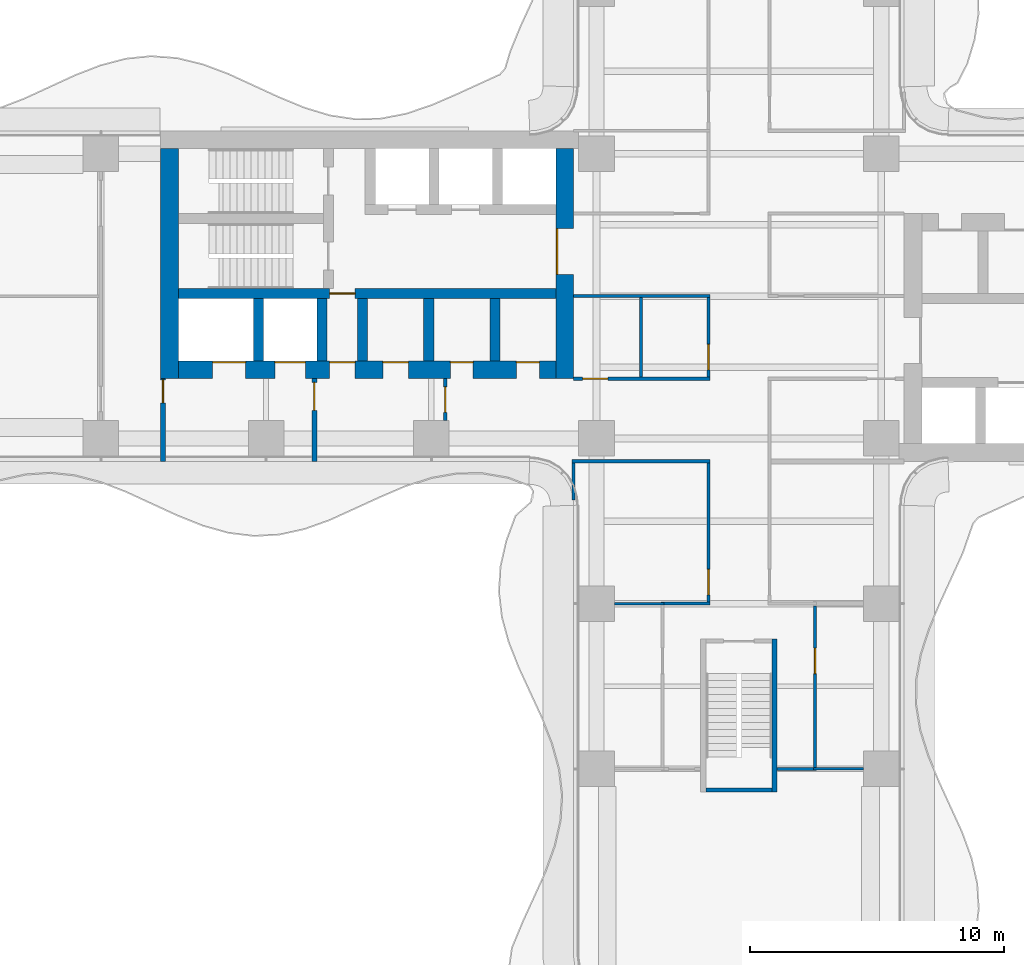
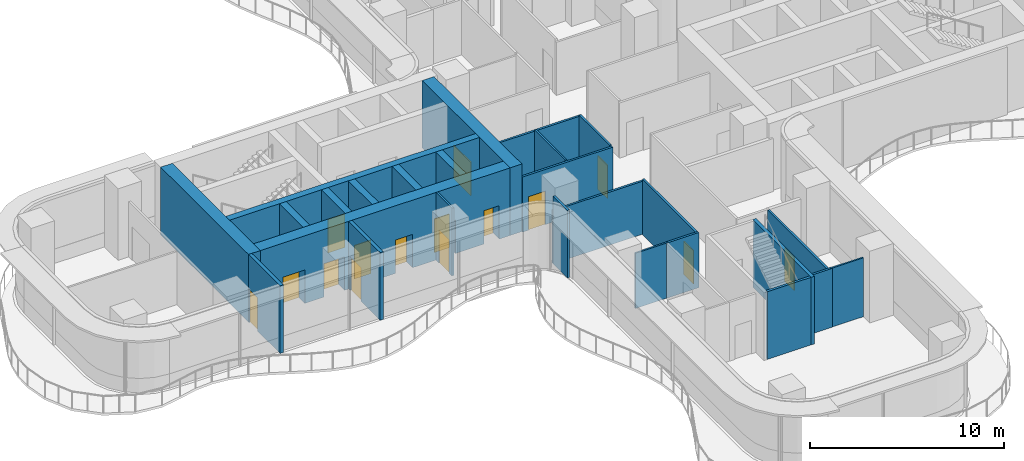
# One storey, part 17 of 22: 26 walls, 15 doors, 15 openings.
"""IFC4 building model written with IfcOpenShell, lengths in metres."""

from ifc_helpers import new_model, si_unit, direction, frame, frame_2d, origin, place, context, subcontext, project, spatial, rectangle, extrude, source, transform, mapped, material, layer, layer_set, type_object, element, fill, save


model = new_model("IFC4")

# Units and contexts
model_context = context("Model", 3, precision=1e-05, world=origin(), true_north=direction((0.0, 1.0)))
body_context = subcontext(model_context, "Body", "Model", "MODEL_VIEW")
ifc_project = project(units=[si_unit("LENGTHUNIT", "METRE"), si_unit("AREAUNIT", "SQUARE_METRE"), si_unit("VOLUMEUNIT", "CUBIC_METRE"), si_unit("PLANEANGLEUNIT", "RADIAN"), si_unit("MASSUNIT", "GRAM", prefix="KILO")], contexts=[model_context])

# Site, building, storey
site_placement = place(None, origin())
site = spatial("IfcSite", under=ifc_project, at=site_placement, CompositionType="ELEMENT")
building_placement = place(site_placement, origin())
building = spatial("IfcBuilding", under=site, at=building_placement, Name="Trellis Farm Tower", CompositionType="ELEMENT")
storey_placement = place(building_placement, frame((0.0, 0.0, 38.5)))
storey = spatial("IfcBuildingStorey", under=building, at=storey_placement, Name="L07", CompositionType="ELEMENT", Elevation=38.5)

# Wall, opening, door
ifc_material_1 = material(Name="Concrete C80/95", Category="concrete")
ifc_layer_1 = layer(ifc_material_1, 0.699951171875)
ifc_layer_set_1 = layer_set([ifc_layer_1], Name="CORE OUTER WALL 700 CONCRETE C80/95")
wall_type_1 = type_object("IfcWallType", Name="CORE OUTER WALL 700 CONCRETE C80/95", PredefinedType="SHEAR", material=ifc_layer_set_1)
shared_shape_1 = source(origin(), body_context, "Body", "SweptSolid", [
    extrude(rectangle(XDim=9.050048828125, YDim=0.699951171875, at=frame_2d((4.52490234375, 0.0))), origin(), (0.0, 0.0, 1.0), 4.25),
])
wall_1_placement = place(storey_placement, frame((-6.85009765625, 5.800048828125, 0.0), z_axis=(0.0, 0.0, 1.0), x_axis=(0.0, -1.0, 0.0)))
wall_1 = element("IfcWall", 1, at=wall_1_placement, inside=storey, type_object=wall_type_1, Name="Core wall", PredefinedType="SHEAR", context=body_context, shape_type="MappedRepresentation", body=[
    mapped(shared_shape_1, transform((0.0, 0.0, 0.0))),
])
shared_shape_2 = source(origin(), body_context, "Body", "SweptSolid", [
    extrude(rectangle(XDim=1.800048828125, YDim=2.10009765625, at=frame_2d((0.89990234375, 1.050048828125))), frame((0.0, 0.360107421875, 0.0), z_axis=(0.0, -1.0, 0.0), x_axis=(1.0, 0.0, 0.0)), (0.0, 0.0, 1.0), 0.72021484375),
])
opening_1_placement = place(wall_1_placement, frame((3.14990234375, 0.0, 0.0)))
opening_1 = element("IfcOpeningElement", 2, at=opening_1_placement, cuts=wall_1, Name="Opening DC87", PredefinedType="OPENING", context=body_context, shape_type="MappedRepresentation", body=[
    mapped(shared_shape_2, transform((0.0, 0.0, 0.0))),
])
ifc_material_2 = material(Name="Steel", Category="steel")
door_type_1 = type_object("IfcDoorType", Name="CORE FIRE DOOR DOUBLE 1800 X 2100", OperationType="DOUBLE_DOOR_SINGLE_SWING", PredefinedType="DOOR", material=ifc_material_2)
shared_shape_3 = source(origin(), body_context, "Body", "SweptSolid", [
    extrude(rectangle(XDim=1.800048828125, YDim=2.10009765625, at=frame_2d((0.89990234375, 1.050048828125))), frame((0.0, -0.27490234375, 0.0), z_axis=(0.0, -1.0, 0.0), x_axis=(1.0, 0.0, 0.0)), (0.0, 0.0, 1.0), 0.050048828125),
])
door_1_placement = place(opening_1_placement, origin())
door_1 = element("IfcDoor", 3, at=door_1_placement, inside=storey, type_object=door_type_1, Name="Core door", OperationType="DOUBLE_DOOR_SINGLE_SWING", OverallHeight=2.10009765625, OverallWidth=1.800048828125, PredefinedType="DOOR", context=body_context, shape_type="MappedRepresentation", body=[
    mapped(shared_shape_3, transform((0.0, 0.0, 0.0))),
])
fill(opening_1, door_1)

# Walls
wall_2_placement = place(storey_placement, frame((-22.39990234375, 5.800048828125, 0.0), z_axis=(0.0, 0.0, 1.0), x_axis=(0.0, -1.0, 0.0)))
element("IfcWall", 4, at=wall_2_placement, inside=storey, type_object=wall_type_1, Name="Core wall", PredefinedType="SHEAR", context=body_context, shape_type="MappedRepresentation", body=[
    mapped(shared_shape_1, transform((0.0, 0.0, 0.0))),
])
ifc_layer_2 = layer(ifc_material_1, 0.39990234375)
ifc_layer_set_2 = layer_set([ifc_layer_2], Name="CORE INNER WALL 400 CONCRETE C80/95")
wall_type_2 = type_object("IfcWallType", Name="CORE INNER WALL 400 CONCRETE C80/95", PredefinedType="SHEAR", material=ifc_layer_set_2)
shared_shape_4 = source(origin(), body_context, "Body", "SweptSolid", [
    extrude(rectangle(XDim=2.449951171875, YDim=0.39990234375, at=frame_2d((1.22509765625, 0.0))), origin(), (0.0, 0.0, 1.0), 4.25),
])
for number, where, z_axis, x_axis, name in (
    (5, (-9.60009765625, -0.10009765625, 0.0), (0.0, 0.0, 1.0), (0.0, -1.0, 0.0), "Core wall"),
    (6, (-12.199951171875, -0.10009765625, 0.0), (0.0, 0.0, 1.0), (0.0, -1.0, 0.0), "Core wall"),
    (7, (-14.800048828125, -0.10009765625, 0.0), (0.0, 0.0, 1.0), (0.0, -1.0, 0.0), "Core wall"),
    (8, (-16.39990234375, -0.10009765625, 0.0), (0.0, 0.0, 1.0), (0.0, -1.0, 0.0), "Core wall"),
    (9, (-18.89990234375, -0.10009765625, 0.0), (0.0, 0.0, 1.0), (0.0, -1.0, 0.0), "Core wall"),
):
    element("IfcWall", number, at=place(storey_placement, frame(where, z_axis=z_axis, x_axis=x_axis)), inside=storey, type_object=wall_type_2, Name=name, PredefinedType="SHEAR", context=body_context, shape_type="MappedRepresentation", body=[
        mapped(shared_shape_4, transform((0.0, 0.0, 0.0))),
    ])

# Wall, opening, door
ifc_material_3 = material(Name="Masonry blockwork", Category="masonry")
ifc_layer_3 = layer(ifc_material_3, 0.199951171875)
ifc_layer_set_3 = layer_set([ifc_layer_3], Name="FIRE LOBBY PARTITION 200 BLOCKWORK")
wall_type_3 = type_object("IfcWallType", Name="FIRE LOBBY PARTITION 200 BLOCKWORK", PredefinedType="PARTITIONING", material=ifc_layer_set_3)
shared_shape_5 = source(origin(), body_context, "Body", "SweptSolid", [
    extrude(rectangle(XDim=3.25, YDim=0.199951171875, at=frame_2d((1.625, 0.0))), origin(), (0.0, 0.0, 1.0), 4.25),
])
wall_3_placement = place(storey_placement, frame((-16.699951171875, -3.25, 0.0), z_axis=(0.0, 0.0, 1.0), x_axis=(0.0, -1.0, 0.0)))
wall_3 = element("IfcWall", 10, at=wall_3_placement, inside=storey, type_object=wall_type_3, Name="Fire-fighting lobby partition", PredefinedType="PARTITIONING", context=body_context, shape_type="MappedRepresentation", body=[
    mapped(shared_shape_5, transform((0.0, 0.0, 0.0))),
])
shared_shape_6 = source(origin(), body_context, "Body", "SweptSolid", [
    extrude(rectangle(XDim=1.10009765625, YDim=2.10009765625, at=frame_2d((0.550048828125, 1.050048828125))), frame((0.0, 0.110107421875, 0.0), z_axis=(0.0, -1.0, 0.0), x_axis=(1.0, 0.0, 0.0)), (0.0, 0.0, 1.0), 0.22021484375),
])
opening_2_placement = place(wall_3_placement, frame((0.14990234375, 0.0, 0.0)))
opening_2 = element("IfcOpeningElement", 11, at=opening_2_placement, cuts=wall_3, Name="Opening DC93", PredefinedType="OPENING", context=body_context, shape_type="MappedRepresentation", body=[
    mapped(shared_shape_6, transform((0.0, 0.0, 0.0))),
])
door_type_2 = type_object("IfcDoorType", Name="CORE FIRE DOOR 1100 X 2100", OperationType="NOTDEFINED", PredefinedType="DOOR", material=ifc_material_2)
shared_shape_7 = source(origin(), body_context, "Body", "SweptSolid", [
    extrude(rectangle(XDim=1.10009765625, YDim=2.10009765625, at=frame_2d((0.550048828125, 1.050048828125))), frame((0.0, 0.02490234375, 0.0), z_axis=(0.0, -1.0, 0.0), x_axis=(1.0, 0.0, 0.0)), (0.0, 0.0, 1.0), 0.050048828125),
])
door_2_placement = place(opening_2_placement, origin())
door_2 = element("IfcDoor", 12, at=door_2_placement, inside=storey, type_object=door_type_2, Name="Core door", OperationType="SINGLE_SWING_RIGHT", OverallHeight=2.10009765625, OverallWidth=1.10009765625, PredefinedType="DOOR", context=body_context, shape_type="MappedRepresentation", body=[
    mapped(shared_shape_7, transform((0.0, 0.0, 0.0))),
])
fill(opening_2, door_2)

wall_4_placement = place(storey_placement, frame((-22.64990234375, -3.25, 0.0), z_axis=(0.0, 0.0, 1.0), x_axis=(0.0, -1.0, 0.0)))
wall_4 = element("IfcWall", 13, at=wall_4_placement, inside=storey, type_object=wall_type_3, Name="Fire-fighting lobby partition", PredefinedType="PARTITIONING", context=body_context, shape_type="MappedRepresentation", body=[
    mapped(shared_shape_5, transform((0.0, 0.0, 0.0))),
])
shared_shape_8 = source(origin(), body_context, "Body", "SweptSolid", [
    extrude(rectangle(XDim=0.89990234375, YDim=2.10009765625, at=frame_2d((0.449951171875, 1.050048828125))), frame((0.0, 0.110107421875, 0.0), z_axis=(0.0, -1.0, 0.0), x_axis=(1.0, 0.0, 0.0)), (0.0, 0.0, 1.0), 0.22021484375),
])
opening_3_placement = place(wall_4_placement, frame((0.050048828125, 0.0, 0.0)))
opening_3 = element("IfcOpeningElement", 14, at=opening_3_placement, cuts=wall_4, Name="Opening DC94", PredefinedType="OPENING", context=body_context, shape_type="MappedRepresentation", body=[
    mapped(shared_shape_8, transform((0.0, 0.0, 0.0))),
])
door_type_3 = type_object("IfcDoorType", Name="CORE FIRE DOOR 900 X 2100", OperationType="NOTDEFINED", PredefinedType="DOOR", material=ifc_material_2)
shared_shape_9 = source(origin(), body_context, "Body", "SweptSolid", [
    extrude(rectangle(XDim=0.89990234375, YDim=2.10009765625, at=frame_2d((0.449951171875, 1.050048828125))), frame((0.0, 0.02490234375, 0.0), z_axis=(0.0, -1.0, 0.0), x_axis=(1.0, 0.0, 0.0)), (0.0, 0.0, 1.0), 0.050048828125),
])
door_3_placement = place(opening_3_placement, origin())
door_3 = element("IfcDoor", 15, at=door_3_placement, inside=storey, type_object=door_type_3, Name="Core door", OperationType="SINGLE_SWING_RIGHT", OverallHeight=2.10009765625, OverallWidth=0.89990234375, PredefinedType="DOOR", context=body_context, shape_type="MappedRepresentation", body=[
    mapped(shared_shape_9, transform((0.0, 0.0, 0.0))),
])
fill(opening_3, door_3)

# Wall, openings, doors
shared_shape_10 = source(origin(), body_context, "Body", "SweptSolid", [
    extrude(rectangle(XDim=14.85009765625, YDim=0.699951171875, at=frame_2d((7.425048828125, 0.0))), origin(), (0.0, 0.0, 1.0), 4.25),
])
wall_5_placement = place(storey_placement, frame((-7.199951171875, -2.89990234375, 0.0), z_axis=(0.0, 0.0, 1.0), x_axis=(-1.0, 0.0, 0.0)))
wall_5 = element("IfcWall", 16, at=wall_5_placement, inside=storey, type_object=wall_type_1, Name="Core wall", PredefinedType="SHEAR", context=body_context, shape_type="MappedRepresentation", body=[
    mapped(shared_shape_10, transform((0.0, 0.0, 0.0))),
])
shared_shape_11 = source(origin(), body_context, "Body", "SweptSolid", [
    extrude(rectangle(XDim=1.300048828125, YDim=2.10009765625, at=frame_2d((0.64990234375, 1.050048828125))), frame((0.0, 0.360107421875, 0.0), z_axis=(0.0, -1.0, 0.0), x_axis=(1.0, 0.0, 0.0)), (0.0, 0.0, 1.0), 0.72021484375),
])
opening_4_placement = place(wall_5_placement, frame((12.199951171875, 0.0, 0.0)))
opening_4 = element("IfcOpeningElement", 17, at=opening_4_placement, cuts=wall_5, Name="Opening LD15", PredefinedType="OPENING", context=body_context, shape_type="MappedRepresentation", body=[
    mapped(shared_shape_11, transform((0.0, 0.0, 0.0))),
])
shared_shape_12 = source(origin(), body_context, "Body", "SweptSolid", [
    extrude(rectangle(XDim=1.199951171875, YDim=2.10009765625, at=frame_2d((0.60009765625, 1.050048828125))), frame((0.0, 0.360107421875, 0.0), z_axis=(0.0, -1.0, 0.0), x_axis=(1.0, 0.0, 0.0)), (0.0, 0.0, 1.0), 0.72021484375),
])
opening_5_placement = place(wall_5_placement, frame((9.85009765625, 0.0, 0.0)))
opening_5 = element("IfcOpeningElement", 18, at=opening_5_placement, cuts=wall_5, Name="Opening LD16", PredefinedType="OPENING", context=body_context, shape_type="MappedRepresentation", body=[
    mapped(shared_shape_12, transform((0.0, 0.0, 0.0))),
])
shared_shape_13 = source(origin(), body_context, "Body", "SweptSolid", [
    extrude(rectangle(XDim=1.0, YDim=2.10009765625, at=frame_2d((0.5, 1.050048828125))), frame((0.0, 0.360107421875, 0.0), z_axis=(0.0, -1.0, 0.0), x_axis=(1.0, 0.0, 0.0)), (0.0, 0.0, 1.0), 0.72021484375),
])
opening_6_placement = place(wall_5_placement, frame((7.89990234375, 0.0, 0.0)))
opening_6 = element("IfcOpeningElement", 19, at=opening_6_placement, cuts=wall_5, Name="Opening DC92", PredefinedType="OPENING", context=body_context, shape_type="MappedRepresentation", body=[
    mapped(shared_shape_13, transform((0.0, 0.0, 0.0))),
])
shared_shape_14 = source(origin(), body_context, "Body", "SweptSolid", [
    extrude(rectangle(XDim=0.89990234375, YDim=2.10009765625, at=frame_2d((0.449951171875, 1.050048828125))), frame((0.0, 0.360107421875, 0.0), z_axis=(0.0, -1.0, 0.0), x_axis=(1.0, 0.0, 0.0)), (0.0, 0.0, 1.0), 0.72021484375),
])
opening_7_placement = place(wall_5_placement, frame((0.64990234375, 0.0, 0.0)))
opening_7 = element("IfcOpeningElement", 20, at=opening_7_placement, cuts=wall_5, Name="Opening DC97", PredefinedType="OPENING", context=body_context, shape_type="MappedRepresentation", body=[
    mapped(shared_shape_14, transform((0.0, 0.0, 0.0))),
])
opening_8_placement = place(wall_5_placement, frame((3.25, 0.0, 0.0)))
opening_8 = element("IfcOpeningElement", 21, at=opening_8_placement, cuts=wall_5, Name="Opening DC110", PredefinedType="OPENING", context=body_context, shape_type="MappedRepresentation", body=[
    mapped(shared_shape_14, transform((0.0, 0.0, 0.0))),
])
opening_9_placement = place(wall_5_placement, frame((5.800048828125, 0.0, 0.0)))
opening_9 = element("IfcOpeningElement", 22, at=opening_9_placement, cuts=wall_5, Name="Opening DC123", PredefinedType="OPENING", context=body_context, shape_type="MappedRepresentation", body=[
    mapped(shared_shape_13, transform((0.0, 0.0, 0.0))),
])
door_type_4 = type_object("IfcDoorType", Name="CORE FIRE DOOR 1000 X 2100", OperationType="NOTDEFINED", PredefinedType="DOOR", material=ifc_material_2)
shared_shape_15 = source(origin(), body_context, "Body", "SweptSolid", [
    extrude(rectangle(XDim=1.0, YDim=2.10009765625, at=frame_2d((0.5, 1.050048828125))), frame((0.0, -0.27490234375, 0.0), z_axis=(0.0, -1.0, 0.0), x_axis=(1.0, 0.0, 0.0)), (0.0, 0.0, 1.0), 0.050048828125),
])
door_4_placement = place(opening_6_placement, origin())
door_4 = element("IfcDoor", 23, at=door_4_placement, inside=storey, type_object=door_type_4, Name="Core door", OperationType="SINGLE_SWING_LEFT", OverallHeight=2.10009765625, OverallWidth=1.0, PredefinedType="DOOR", context=body_context, shape_type="MappedRepresentation", body=[
    mapped(shared_shape_15, transform((0.0, 0.0, 0.0))),
])
fill(opening_6, door_4)
door_5_placement = place(opening_9_placement, origin())
door_5 = element("IfcDoor", 24, at=door_5_placement, inside=storey, type_object=door_type_4, Name="Core door", OperationType="SINGLE_SWING_LEFT", OverallHeight=2.10009765625, OverallWidth=1.0, PredefinedType="DOOR", context=body_context, shape_type="MappedRepresentation", body=[
    mapped(shared_shape_15, transform((0.0, 0.0, 0.0))),
])
fill(opening_9, door_5)
shared_shape_16 = source(origin(), body_context, "Body", "SweptSolid", [
    extrude(rectangle(XDim=0.89990234375, YDim=2.10009765625, at=frame_2d((0.449951171875, 1.050048828125))), frame((0.0, -0.27490234375, 0.0), z_axis=(0.0, -1.0, 0.0), x_axis=(1.0, 0.0, 0.0)), (0.0, 0.0, 1.0), 0.050048828125),
])
door_6_placement = place(opening_7_placement, origin())
door_6 = element("IfcDoor", 25, at=door_6_placement, inside=storey, type_object=door_type_3, Name="Core door", OperationType="SINGLE_SWING_LEFT", OverallHeight=2.10009765625, OverallWidth=0.89990234375, PredefinedType="DOOR", context=body_context, shape_type="MappedRepresentation", body=[
    mapped(shared_shape_16, transform((0.0, 0.0, 0.0))),
])
fill(opening_7, door_6)
door_7_placement = place(opening_8_placement, origin())
door_7 = element("IfcDoor", 26, at=door_7_placement, inside=storey, type_object=door_type_3, Name="Core door", OperationType="SINGLE_SWING_RIGHT", OverallHeight=2.10009765625, OverallWidth=0.89990234375, PredefinedType="DOOR", context=body_context, shape_type="MappedRepresentation", body=[
    mapped(shared_shape_16, transform((0.0, 0.0, 0.0))),
])
fill(opening_8, door_7)
ifc_material_4 = material(Name="Stainless steel", Category="steel")
door_type_5 = type_object("IfcDoorType", Name="LIFT LANDING DOOR 1300 X 2100", OperationType="DOUBLE_DOOR_SLIDING", PredefinedType="DOOR", material=ifc_material_4)
shared_shape_17 = source(origin(), body_context, "Body", "SweptSolid", [
    extrude(rectangle(XDim=1.300048828125, YDim=2.10009765625, at=frame_2d((0.64990234375, 1.050048828125))), frame((0.0, -0.27490234375, 0.0), z_axis=(0.0, -1.0, 0.0), x_axis=(1.0, 0.0, 0.0)), (0.0, 0.0, 1.0), 0.050048828125),
])
door_8_placement = place(opening_4_placement, origin())
door_8 = element("IfcDoor", 27, at=door_8_placement, inside=storey, type_object=door_type_5, Name="Lift landing door", OperationType="DOUBLE_DOOR_SLIDING", OverallHeight=2.10009765625, OverallWidth=1.300048828125, PredefinedType="DOOR", context=body_context, shape_type="MappedRepresentation", body=[
    mapped(shared_shape_17, transform((0.0, 0.0, 0.0))),
])
fill(opening_4, door_8)
door_type_6 = type_object("IfcDoorType", Name="LIFT LANDING DOOR 1200 X 2100", OperationType="DOUBLE_DOOR_SLIDING", PredefinedType="DOOR", material=ifc_material_4)
shared_shape_18 = source(origin(), body_context, "Body", "SweptSolid", [
    extrude(rectangle(XDim=1.199951171875, YDim=2.10009765625, at=frame_2d((0.60009765625, 1.050048828125))), frame((0.0, -0.27490234375, 0.0), z_axis=(0.0, -1.0, 0.0), x_axis=(1.0, 0.0, 0.0)), (0.0, 0.0, 1.0), 0.050048828125),
])
door_9_placement = place(opening_5_placement, origin())
door_9 = element("IfcDoor", 28, at=door_9_placement, inside=storey, type_object=door_type_6, Name="Lift landing door", OperationType="DOUBLE_DOOR_SLIDING", OverallHeight=2.10009765625, OverallWidth=1.199951171875, PredefinedType="DOOR", context=body_context, shape_type="MappedRepresentation", body=[
    mapped(shared_shape_18, transform((0.0, 0.0, 0.0))),
])
fill(opening_5, door_9)

# Wall, opening, door
shared_shape_19 = source(origin(), body_context, "Body", "SweptSolid", [
    extrude(rectangle(XDim=14.85009765625, YDim=0.39990234375, at=frame_2d((7.425048828125, 0.0))), origin(), (0.0, 0.0, 1.0), 4.25),
])
wall_6_placement = place(storey_placement, frame((-7.199951171875, 0.10009765625, 0.0), z_axis=(0.0, 0.0, 1.0), x_axis=(-1.0, 0.0, 0.0)))
wall_6 = element("IfcWall", 29, at=wall_6_placement, inside=storey, type_object=wall_type_2, Name="Core wall", PredefinedType="SHEAR", context=body_context, shape_type="MappedRepresentation", body=[
    mapped(shared_shape_19, transform((0.0, 0.0, 0.0))),
])
shared_shape_20 = source(origin(), body_context, "Body", "SweptSolid", [
    extrude(rectangle(XDim=1.0, YDim=2.10009765625, at=frame_2d((0.5, 1.050048828125))), frame((0.0, 0.2099609375, 0.0), z_axis=(0.0, -1.0, 0.0), x_axis=(1.0, 0.0, 0.0)), (0.0, 0.0, 1.0), 0.419921875),
])
opening_10_placement = place(wall_6_placement, frame((7.89990234375, 0.0, 0.0)))
opening_10 = element("IfcOpeningElement", 30, at=opening_10_placement, cuts=wall_6, Name="Opening DC91", PredefinedType="OPENING", context=body_context, shape_type="MappedRepresentation", body=[
    mapped(shared_shape_20, transform((0.0, 0.0, 0.0))),
])
shared_shape_21 = source(origin(), body_context, "Body", "SweptSolid", [
    extrude(rectangle(XDim=1.0, YDim=2.10009765625, at=frame_2d((0.5, 1.050048828125))), frame((0.0, 0.02490234375, 0.0), z_axis=(0.0, -1.0, 0.0), x_axis=(1.0, 0.0, 0.0)), (0.0, 0.0, 1.0), 0.050048828125),
])
door_10_placement = place(opening_10_placement, origin())
door_10 = element("IfcDoor", 31, at=door_10_placement, inside=storey, type_object=door_type_4, Name="Core door", OperationType="SINGLE_SWING_RIGHT", OverallHeight=2.10009765625, OverallWidth=1.0, PredefinedType="DOOR", context=body_context, shape_type="MappedRepresentation", body=[
    mapped(shared_shape_21, transform((0.0, 0.0, 0.0))),
])
fill(opening_10, door_10)

# Walls
ifc_layer_4 = layer(ifc_material_1, 0.199951171875)
ifc_layer_set_4 = layer_set([ifc_layer_4], Name="CORE STAIR ENCLOSURE WALL 200 CONCRETE C80/95")
wall_type_4 = type_object("IfcWallType", Name="CORE STAIR ENCLOSURE WALL 200 CONCRETE C80/95", PredefinedType="SHEAR", material=ifc_layer_set_4)
shared_shape_22 = source(origin(), body_context, "Body", "SweptSolid", [
    extrude(rectangle(XDim=6.0, YDim=0.199951171875, at=frame_2d((3.0, 0.0))), origin(), (0.0, 0.0, 1.0), 4.25),
])
wall_7_placement = place(storey_placement, frame((1.39990234375, -13.5, 0.0), z_axis=(0.0, 0.0, 1.0), x_axis=(0.0, -1.0, 0.0)))
element("IfcWall", 32, at=wall_7_placement, inside=storey, type_object=wall_type_4, Name="Stair enclosure wall", PredefinedType="SHEAR", context=body_context, shape_type="MappedRepresentation", body=[
    mapped(shared_shape_22, transform((0.0, 0.0, 0.0))),
])
ifc_layer_5 = layer(ifc_material_1, 0.14990234375)
ifc_layer_set_5 = layer_set([ifc_layer_5], Name="CORE STAIR ENCLOSURE WALL 150 CONCRETE C80/95")
wall_type_5 = type_object("IfcWallType", Name="CORE STAIR ENCLOSURE WALL 150 CONCRETE C80/95", PredefinedType="SHEAR", material=ifc_layer_set_5)
shared_shape_23 = source(origin(), body_context, "Body", "SweptSolid", [
    extrude(rectangle(XDim=2.60009765625, YDim=0.14990234375, at=frame_2d((1.300048828125, 0.0))), origin(), (0.0, 0.0, 1.0), 4.25),
])
wall_8_placement = place(storey_placement, frame((1.300048828125, -19.425048828125, 0.0), z_axis=(0.0, 0.0, 1.0), x_axis=(-1.0, 0.0, 0.0)))
element("IfcWall", 33, at=wall_8_placement, inside=storey, type_object=wall_type_5, Name="Stair enclosure wall", PredefinedType="SHEAR", context=body_context, shape_type="MappedRepresentation", body=[
    mapped(shared_shape_23, transform((0.0, 0.0, 0.0))),
])

# Wall, opening, door
ifc_material_5 = material(Name="Plasterboard on steel studs, mineral wool", Category="steel")
ifc_layer_6 = layer(ifc_material_5, 0.125)
ifc_layer_set_6 = layer_set([ifc_layer_6], Name="PARTITION 125 STUD EI 60")
wall_type_6 = type_object("IfcWallType", Name="PARTITION 125 STUD EI 60", PredefinedType="PARTITIONING", material=ifc_layer_set_6)
shared_shape_24 = source(origin(), body_context, "Body", "SweptSolid", [
    extrude(rectangle(XDim=3.125, YDim=0.125, at=frame_2d((1.5625, 0.0))), origin(), (0.0, 0.0, 1.0), 3.54638671875),
])
wall_9_placement = place(storey_placement, frame((-1.199951171875, -0.0625, 0.0), z_axis=(0.0, 0.0, 1.0), x_axis=(0.0, -1.0, 0.0)))
wall_9 = element("IfcWall", 34, at=wall_9_placement, inside=storey, type_object=wall_type_6, Name="Partition PW1", PredefinedType="PARTITIONING", context=body_context, shape_type="MappedRepresentation", body=[
    mapped(shared_shape_24, transform((0.0, 0.0, 0.0))),
])
shared_shape_25 = source(origin(), body_context, "Body", "SweptSolid", [
    extrude(rectangle(XDim=1.0, YDim=2.10009765625, at=frame_2d((0.5, 1.050048828125))), frame((0.0, 0.072509765625, 0.0), z_axis=(0.0, -1.0, 0.0), x_axis=(1.0, 0.0, 0.0)), (0.0, 0.0, 1.0), 0.14501953125),
])
opening_11_placement = place(wall_9_placement, frame((1.83740234375, 0.0, 0.0)))
opening_11 = element("IfcOpeningElement", 35, at=opening_11_placement, cuts=wall_9, Name="Opening D107", PredefinedType="OPENING", context=body_context, shape_type="MappedRepresentation", body=[
    mapped(shared_shape_25, transform((0.0, 0.0, 0.0))),
])
ifc_material_6 = material(Name="Fire-rated timber door leaf in a hollow metal frame", Category="wood")
door_type_7 = type_object("IfcDoorType", Name="DOOR 1000x2100 FD30S", OperationType="NOTDEFINED", PredefinedType="DOOR", material=ifc_material_6)
door_11_placement = place(opening_11_placement, origin())
door_11 = element("IfcDoor", 36, at=door_11_placement, inside=storey, type_object=door_type_7, Name="Door D107", OperationType="SINGLE_SWING_RIGHT", OverallHeight=2.10009765625, OverallWidth=1.0, PredefinedType="DOOR", context=body_context, shape_type="MappedRepresentation", body=[
    mapped(shared_shape_21, transform((0.0, 0.0, 0.0))),
])
fill(opening_11, door_11)

shared_shape_26 = source(origin(), body_context, "Body", "SweptSolid", [
    extrude(rectangle(XDim=5.47509765625, YDim=0.125, at=frame_2d((2.737548828125, 0.0))), origin(), (0.0, 0.0, 1.0), 3.4677734375),
])
wall_10_placement = place(storey_placement, frame((-1.199951171875, -12.03759765625, 0.0), z_axis=(0.0, 0.0, 1.0), x_axis=(0.0, 1.0, 0.0)))
wall_10 = element("IfcWall", 37, at=wall_10_placement, inside=storey, type_object=wall_type_6, Name="Partition PW1", PredefinedType="PARTITIONING", context=body_context, shape_type="MappedRepresentation", body=[
    mapped(shared_shape_26, transform((0.0, 0.0, 0.0))),
])
opening_12_placement = place(wall_10_placement, frame((0.28759765625, 0.0, 0.0)))
opening_12 = element("IfcOpeningElement", 38, at=opening_12_placement, cuts=wall_10, Name="Opening D104", PredefinedType="OPENING", context=body_context, shape_type="MappedRepresentation", body=[
    mapped(shared_shape_25, transform((0.0, 0.0, 0.0))),
])
door_12_placement = place(opening_12_placement, origin())
door_12 = element("IfcDoor", 39, at=door_12_placement, inside=storey, type_object=door_type_7, Name="Door D104", OperationType="SINGLE_SWING_LEFT", OverallHeight=2.10009765625, OverallWidth=1.0, PredefinedType="DOOR", context=body_context, shape_type="MappedRepresentation", body=[
    mapped(shared_shape_21, transform((0.0, 0.0, 0.0))),
])
fill(opening_12, door_12)

shared_shape_27 = source(origin(), body_context, "Body", "SweptSolid", [
    extrude(rectangle(XDim=6.35009765625, YDim=0.125, at=frame_2d((3.175048828125, 0.0))), origin(), (0.0, 0.0, 1.0), 3.4677734375),
])
wall_11_placement = place(storey_placement, frame((3.0, -12.199951171875, 0.0), z_axis=(0.0, 0.0, 1.0), x_axis=(0.0, -1.0, 0.0)))
wall_11 = element("IfcWall", 40, at=wall_11_placement, inside=storey, type_object=wall_type_6, Name="Partition PW1", PredefinedType="PARTITIONING", context=body_context, shape_type="MappedRepresentation", body=[
    mapped(shared_shape_27, transform((0.0, 0.0, 0.0))),
])
opening_13_placement = place(wall_11_placement, frame((1.64990234375, 0.0, 0.0)))
opening_13 = element("IfcOpeningElement", 41, at=opening_13_placement, cuts=wall_11, Name="Opening D103", PredefinedType="OPENING", context=body_context, shape_type="MappedRepresentation", body=[
    mapped(shared_shape_25, transform((0.0, 0.0, 0.0))),
])
door_13_placement = place(opening_13_placement, origin())
door_13 = element("IfcDoor", 42, at=door_13_placement, inside=storey, type_object=door_type_7, Name="Door D103", OperationType="SINGLE_SWING_LEFT", OverallHeight=2.10009765625, OverallWidth=1.0, PredefinedType="DOOR", context=body_context, shape_type="MappedRepresentation", body=[
    mapped(shared_shape_21, transform((0.0, 0.0, 0.0))),
])
fill(opening_13, door_13)

# Wall
shared_shape_28 = source(origin(), body_context, "Body", "SweptSolid", [
    extrude(rectangle(XDim=1.468994140625, YDim=0.125, at=frame_2d((0.734375, 0.0))), origin(), (0.0, 0.0, 1.0), 4.25),
])
wall_12_placement = place(storey_placement, frame((-6.5, -6.5625, 0.0), z_axis=(0.0, 0.0, 1.0), x_axis=(0.0, -1.0, 0.0)))
element("IfcWall", 43, at=wall_12_placement, inside=storey, type_object=wall_type_6, Name="Partition PW1", PredefinedType="PARTITIONING", context=body_context, shape_type="MappedRepresentation", body=[
    mapped(shared_shape_28, transform((0.0, 0.0, 0.0))),
])

# Wall, opening, door
shared_shape_29 = source(origin(), body_context, "Body", "SweptSolid", [
    extrude(rectangle(XDim=1.64990234375, YDim=0.125, at=frame_2d((0.824951171875, 0.0))), origin(), (0.0, 0.0, 1.0), 4.25),
])
wall_13_placement = place(storey_placement, frame((-11.550048828125, -4.89990234375, 0.0), z_axis=(0.0, 0.0, 1.0), x_axis=(0.0, 1.0, 0.0)))
wall_13 = element("IfcWall", 44, at=wall_13_placement, inside=storey, type_object=wall_type_6, Name="Partition PW1", PredefinedType="PARTITIONING", context=body_context, shape_type="MappedRepresentation", body=[
    mapped(shared_shape_29, transform((0.0, 0.0, 0.0))),
])
opening_14_placement = place(wall_13_placement, frame((0.324951171875, 0.0, 0.0)))
opening_14 = element("IfcOpeningElement", 45, at=opening_14_placement, cuts=wall_13, Name="Opening D302", PredefinedType="OPENING", context=body_context, shape_type="MappedRepresentation", body=[
    mapped(shared_shape_25, transform((0.0, 0.0, 0.0))),
])
door_type_8 = type_object("IfcDoorType", Name="DOOR 1000x2100 FD60", OperationType="NOTDEFINED", PredefinedType="DOOR", material=ifc_material_6)
door_14_placement = place(opening_14_placement, origin())
door_14 = element("IfcDoor", 46, at=door_14_placement, inside=storey, type_object=door_type_8, Name="Door D302", OperationType="SINGLE_SWING_LEFT", OverallHeight=2.10009765625, OverallWidth=1.0, PredefinedType="DOOR", context=body_context, shape_type="MappedRepresentation", body=[
    mapped(shared_shape_21, transform((0.0, 0.0, 0.0))),
])
fill(opening_14, door_14)

# Walls
ifc_material_7 = material(Name="Plasterboard on steel studs", Category="steel")
ifc_layer_7 = layer(ifc_material_7, 0.10009765625)
ifc_layer_set_7 = layer_set([ifc_layer_7], Name="PARTITION 100 STUD EI 30")
wall_type_7 = type_object("IfcWallType", Name="PARTITION 100 STUD EI 30", PredefinedType="PARTITIONING", material=ifc_layer_set_7)
shared_shape_30 = source(origin(), body_context, "Body", "SweptSolid", [
    extrude(rectangle(XDim=1.96240234375, YDim=0.10009765625, at=frame_2d((0.981201171875, 0.0))), origin(), (0.0, 0.0, 1.0), 3.69677734375),
])
wall_14_placement = place(storey_placement, frame((2.9375, -18.60009765625, 0.0), z_axis=(0.0, 0.0, 1.0), x_axis=(1.0, 0.0, 0.0)))
element("IfcWall", 47, at=wall_14_placement, inside=storey, type_object=wall_type_7, Name="Partition PW2", PredefinedType="PARTITIONING", context=body_context, shape_type="MappedRepresentation", body=[
    mapped(shared_shape_30, transform((0.0, 0.0, 0.0))),
])
shared_shape_31 = source(origin(), body_context, "Body", "SweptSolid", [
    extrude(rectangle(XDim=1.5625, YDim=0.125, at=frame_2d((0.78125, 0.0))), origin(), (0.0, 0.0, 1.0), 3.69677734375),
])
wall_15_placement = place(storey_placement, frame((3.0625, -18.60009765625, 0.0), z_axis=(0.0, 0.0, 1.0), x_axis=(-1.0, 0.0, 0.0)))
element("IfcWall", 48, at=wall_15_placement, inside=storey, type_object=wall_type_6, Name="Partition PW1", PredefinedType="PARTITIONING", context=body_context, shape_type="MappedRepresentation", body=[
    mapped(shared_shape_31, transform((0.0, 0.0, 0.0))),
])
shared_shape_32 = source(origin(), body_context, "Body", "SweptSolid", [
    extrude(rectangle(XDim=1.925048828125, YDim=0.125, at=frame_2d((0.96240234375, 0.0))), origin(), (0.0, 0.0, 1.0), 3.4677734375),
])
wall_16_placement = place(storey_placement, frame((-3.0625, -12.10009765625, 0.0), z_axis=(0.0, 0.0, 1.0), x_axis=(1.0, 0.0, 0.0)))
element("IfcWall", 49, at=wall_16_placement, inside=storey, type_object=wall_type_6, Name="Partition PW1", PredefinedType="PARTITIONING", context=body_context, shape_type="MappedRepresentation", body=[
    mapped(shared_shape_32, transform((0.0, 0.0, 0.0))),
])

# Wall, opening, door
shared_shape_33 = source(origin(), body_context, "Body", "SweptSolid", [
    extrude(rectangle(XDim=5.362548828125, YDim=0.125, at=frame_2d((2.68115234375, 0.0))), origin(), (0.0, 0.0, 1.0), 3.4677734375),
])
wall_17_placement = place(storey_placement, frame((-1.137451171875, -3.25, 0.0), z_axis=(0.0, 0.0, 1.0), x_axis=(-1.0, 0.0, 0.0)))
wall_17 = element("IfcWall", 50, at=wall_17_placement, inside=storey, type_object=wall_type_6, Name="Partition PW1", PredefinedType="PARTITIONING", context=body_context, shape_type="MappedRepresentation", body=[
    mapped(shared_shape_33, transform((0.0, 0.0, 0.0))),
])
opening_15_placement = place(wall_17_placement, frame((4.012451171875, 0.0, 0.0)))
opening_15 = element("IfcOpeningElement", 51, at=opening_15_placement, cuts=wall_17, Name="Opening D106", PredefinedType="OPENING", context=body_context, shape_type="MappedRepresentation", body=[
    mapped(shared_shape_25, transform((0.0, 0.0, 0.0))),
])
door_15_placement = place(opening_15_placement, origin())
door_15 = element("IfcDoor", 52, at=door_15_placement, inside=storey, type_object=door_type_7, Name="Door D106", OperationType="SINGLE_SWING_RIGHT", OverallHeight=2.10009765625, OverallWidth=1.0, PredefinedType="DOOR", context=body_context, shape_type="MappedRepresentation", body=[
    mapped(shared_shape_21, transform((0.0, 0.0, 0.0))),
])
fill(opening_15, door_15)

# Walls
wall_18_placement = place(storey_placement, frame((-1.137451171875, 0.0, 0.0), z_axis=(0.0, 0.0, 1.0), x_axis=(-1.0, 0.0, 0.0)))
element("IfcWall", 53, at=wall_18_placement, inside=storey, type_object=wall_type_6, Name="Partition PW1", PredefinedType="PARTITIONING", context=body_context, shape_type="MappedRepresentation", body=[
    mapped(shared_shape_33, transform((0.0, 0.0, 0.0))),
])
shared_shape_34 = source(origin(), body_context, "Body", "SweptSolid", [
    extrude(rectangle(XDim=5.425048828125, YDim=0.125, at=frame_2d((2.71240234375, 0.0))), origin(), (0.0, 0.0, 1.0), 3.330078125),
])
wall_19_placement = place(storey_placement, frame((-1.137451171875, -6.5, 0.0), z_axis=(0.0, 0.0, 1.0), x_axis=(-1.0, 0.0, 0.0)))
element("IfcWall", 54, at=wall_19_placement, inside=storey, type_object=wall_type_6, Name="Partition PW1", PredefinedType="PARTITIONING", context=body_context, shape_type="MappedRepresentation", body=[
    mapped(shared_shape_34, transform((0.0, 0.0, 0.0))),
])
shared_shape_35 = source(origin(), body_context, "Body", "SweptSolid", [
    extrude(rectangle(XDim=3.125, YDim=0.10009765625, at=frame_2d((1.5625, 0.0))), origin(), (0.0, 0.0, 1.0), 3.54638671875),
])
wall_20_placement = place(storey_placement, frame((-3.85009765625, -3.1875, 0.0), z_axis=(0.0, 0.0, 1.0), x_axis=(0.0, 1.0, 0.0)))
element("IfcWall", 55, at=wall_20_placement, inside=storey, type_object=wall_type_7, Name="Partition PW2", PredefinedType="PARTITIONING", context=body_context, shape_type="MappedRepresentation", body=[
    mapped(shared_shape_35, transform((0.0, 0.0, 0.0))),
])
shared_shape_36 = source(origin(), body_context, "Body", "SweptSolid", [
    extrude(rectangle(XDim=1.96240234375, YDim=0.10009765625, at=frame_2d((0.981201171875, 0.0))), origin(), (0.0, 0.0, 1.0), 3.4677734375),
])
wall_21_placement = place(storey_placement, frame((-4.89990234375, -12.10009765625, 0.0), z_axis=(0.0, 0.0, 1.0), x_axis=(1.0, 0.0, 0.0)))
element("IfcWall", 56, at=wall_21_placement, inside=storey, type_object=wall_type_7, Name="Partition PW2", PredefinedType="PARTITIONING", context=body_context, shape_type="MappedRepresentation", body=[
    mapped(shared_shape_36, transform((0.0, 0.0, 0.0))),
])

save(model, "model.ifc")
